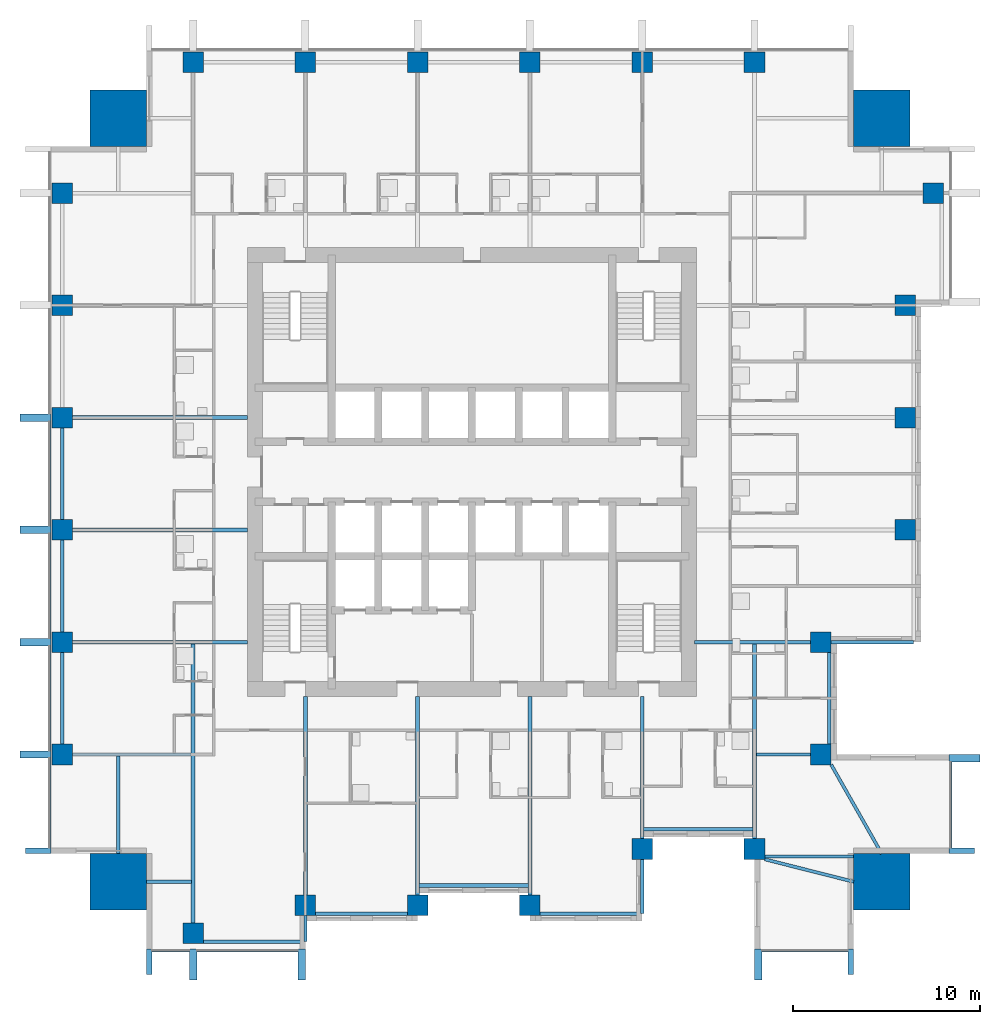
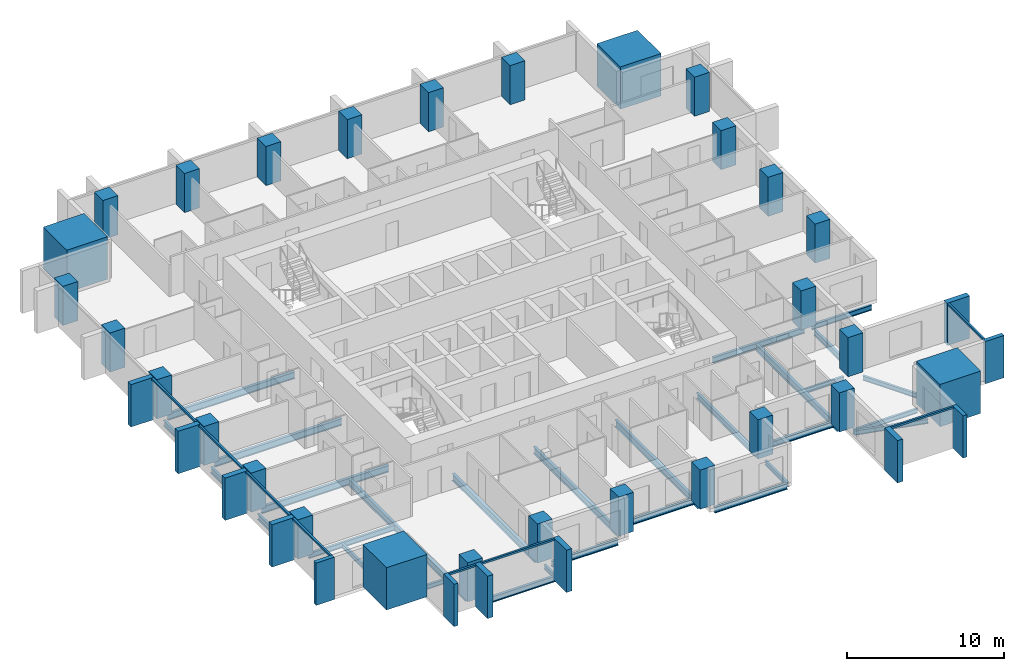
# One storey, part 1 of 11: 29 beams, 28 columns, 20 members, 4 elements without a shape of their own.
"""IFC4 building model written with IfcOpenShell, lengths in metres."""

from ifc_helpers import new_model, si_unit, direction, frame, origin, origin_2d, place, context, subcontext, project, spatial, rectangle, i_section, extrude, material, material_profile, profile_set, type_object, element, aggregate, save


model = new_model("IFC4")

# Units and contexts
model_context = context("Model", 3, precision=1e-05, world=origin(), true_north=direction((0.0, 1.0)))
body_context = subcontext(model_context, "Body", "Model", "MODEL_VIEW")
ifc_project = project(units=[si_unit("LENGTHUNIT", "METRE"), si_unit("AREAUNIT", "SQUARE_METRE"), si_unit("VOLUMEUNIT", "CUBIC_METRE"), si_unit("PLANEANGLEUNIT", "RADIAN"), si_unit("MASSUNIT", "GRAM", prefix="KILO")], contexts=[model_context])

# Site, building, storey
site_placement = place(None, origin())
site = spatial("IfcSite", under=ifc_project, at=site_placement, CompositionType="ELEMENT")
building_placement = place(site_placement, origin())
building = spatial("IfcBuilding", under=site, at=building_placement, Name="Amberfall Residences", CompositionType="ELEMENT")
storey_placement = place(building_placement, frame((0.0, 0.0, 91.89990234375)))
storey = spatial("IfcBuildingStorey", under=building, at=storey_placement, Name="L24", CompositionType="ELEMENT", Elevation=91.89990234375)

# Columns
ifc_material_1 = material(Name="Concrete C70", Category="concrete")
ifc_material_profile_1 = material_profile(ifc_material_1, rectangle(XDim=1.10009765625, YDim=1.10009765625, at=origin_2d()), Name="Column 1100 x 1100 C70")
ifc_profile_set_1 = profile_set([ifc_material_profile_1], Name="Concrete C70")
column_type_1 = type_object("IfcColumnType", Name="Column 1100 x 1100 C70", PredefinedType="COLUMN", material=ifc_profile_set_1)
for number, where, z_axis, x_axis, name in (
    (1, (59.60009765625, 20.85009765625, 0.0), (0.0, 0.0, 1.0), (1.0, 0.0, 0.0), "Column C2 L24 S1"),
    (2, (65.60009765625, 22.35009765625, 0.0), (0.0, 0.0, 1.0), (1.0, 0.0, 0.0), "Column C2 L24 S2"),
    (3, (71.60009765625, 22.35009765625, 0.0), (0.0, 0.0, 1.0), (1.0, 0.0, 0.0), "Column C2 L24 S3"),
    (4, (77.60009765625, 22.35009765625, 0.0), (0.0, 0.0, 1.0), (1.0, 0.0, 0.0), "Column C2 L24 S4"),
    (5, (83.60009765625, 25.35009765625, 0.0), (0.0, 0.0, 1.0), (1.0, 0.0, 0.0), "Column C2 L24 S5"),
    (6, (89.60009765625, 25.35009765625, 0.0), (0.0, 0.0, 1.0), (1.0, 0.0, 0.0), "Column C2 L24 S6"),
    (7, (93.14990234375, 30.39990234375, 0.0), (0.0, 0.0, 1.0), (1.0, 0.0, 0.0), "Column C2 L24 E1"),
    (8, (93.14990234375, 36.39990234375, 0.0), (0.0, 0.0, 1.0), (1.0, 0.0, 0.0), "Column C2 L24 E2"),
    (9, (97.64990234375, 42.39990234375, 0.0), (0.0, 0.0, 1.0), (1.0, 0.0, 0.0), "Column C2 L24 E3"),
    (10, (97.64990234375, 48.39990234375, 0.0), (0.0, 0.0, 1.0), (1.0, 0.0, 0.0), "Column C2 L24 E4"),
    (11, (97.64990234375, 54.39990234375, 0.0), (0.0, 0.0, 1.0), (1.0, 0.0, 0.0), "Column C2 L24 E5"),
    (12, (99.14990234375, 60.39990234375, 0.0), (0.0, 0.0, 1.0), (1.0, 0.0, 0.0), "Column C2 L24 E6"),
    (13, (59.60009765625, 67.39990234375, 0.0), (0.0, 0.0, 1.0), (1.0, 0.0, 0.0), "Column C2 L24 N1"),
    (14, (65.60009765625, 67.39990234375, 0.0), (0.0, 0.0, 1.0), (1.0, 0.0, 0.0), "Column C2 L24 N2"),
    (15, (71.60009765625, 67.39990234375, 0.0), (0.0, 0.0, 1.0), (1.0, 0.0, 0.0), "Column C2 L24 N3"),
    (16, (77.60009765625, 67.39990234375, 0.0), (0.0, 0.0, 1.0), (1.0, 0.0, 0.0), "Column C2 L24 N4"),
    (17, (83.60009765625, 67.39990234375, 0.0), (0.0, 0.0, 1.0), (1.0, 0.0, 0.0), "Column C2 L24 N5"),
    (18, (89.60009765625, 67.39990234375, 0.0), (0.0, 0.0, 1.0), (1.0, 0.0, 0.0), "Column C2 L24 N6"),
    (19, (52.60009765625, 30.39990234375, 0.0), (0.0, 0.0, 1.0), (1.0, 0.0, 0.0), "Column C2 L24 W1"),
    (20, (52.60009765625, 36.39990234375, 0.0), (0.0, 0.0, 1.0), (1.0, 0.0, 0.0), "Column C2 L24 W2"),
    (21, (52.60009765625, 42.39990234375, 0.0), (0.0, 0.0, 1.0), (1.0, 0.0, 0.0), "Column C2 L24 W3"),
    (22, (52.60009765625, 48.39990234375, 0.0), (0.0, 0.0, 1.0), (1.0, 0.0, 0.0), "Column C2 L24 W4"),
    (23, (52.60009765625, 54.39990234375, 0.0), (0.0, 0.0, 1.0), (1.0, 0.0, 0.0), "Column C2 L24 W5"),
    (24, (52.60009765625, 60.39990234375, 0.0), (0.0, 0.0, 1.0), (1.0, 0.0, 0.0), "Column C2 L24 W6"),
):
    element("IfcColumn", number, at=place(storey_placement, frame(where, z_axis=z_axis, x_axis=x_axis)), inside=storey, type_object=column_type_1, Name=name, PredefinedType="COLUMN", context=body_context, shape_type="SweptSolid", body=[
        extrude(rectangle(XDim=1.10009765625, YDim=1.10009765625, at=origin_2d()), origin(), (0.0, 0.0, 1.0), 3.050048828125),
    ])
ifc_material_profile_2 = material_profile(ifc_material_1, rectangle(XDim=3.0, YDim=3.0, at=origin_2d()), Name="Mega column 3000 x 3000 C70")
ifc_profile_set_2 = profile_set([ifc_material_profile_2], Name="Concrete C70")
column_type_2 = type_object("IfcColumnType", Name="Mega column 3000 x 3000 C70", PredefinedType="COLUMN", material=ifc_profile_set_2)
for number, where, z_axis, x_axis, name in (
    (25, (55.60009765625, 23.60009765625, 0.0), (0.0, 0.0, 1.0), (1.0, 0.0, 0.0), "Mega column MC2 L24 SW"),
    (26, (96.39990234375, 23.60009765625, 0.0), (0.0, 0.0, 1.0), (1.0, 0.0, 0.0), "Mega column MC2 L24 SE"),
    (27, (96.39990234375, 64.39990234375, 0.0), (0.0, 0.0, 1.0), (1.0, 0.0, 0.0), "Mega column MC2 L24 NE"),
    (28, (55.60009765625, 64.39990234375, 0.0), (0.0, 0.0, 1.0), (1.0, 0.0, 0.0), "Mega column MC2 L24 NW"),
):
    element("IfcColumn", number, at=place(storey_placement, frame(where, z_axis=z_axis, x_axis=x_axis)), inside=storey, type_object=column_type_2, Name=name, PredefinedType="COLUMN", context=body_context, shape_type="SweptSolid", body=[
        extrude(rectangle(XDim=3.0, YDim=3.0, at=origin_2d()), origin(), (0.0, 0.0, 1.0), 3.300048828125),
    ])

# Curtain wall, members
ifc_material_2 = material(Name="Bronze anodised aluminium and glass", Category="aluminium")
curtain_wall_type = type_object("IfcCurtainWallType", Name="Curtain wall CW1 tower unit", PredefinedType="USERDEFINED", material=ifc_material_2)
curtain_wall_1_placement = place(storey_placement, origin())
curtain_wall_1 = element("IfcCurtainWall", 29, at=curtain_wall_1_placement, inside=storey, type_object=curtain_wall_type, Name="Curtain wall L24 S S1", ObjectType="UNITISED CURTAIN WALL", PredefinedType="USERDEFINED")
ifc_material_3 = material(Name="Bronze anodised aluminium", Category="aluminium")
ifc_material_profile_3 = material_profile(ifc_material_3, rectangle(XDim=0.14990234375, YDim=0.14990234375, at=origin_2d()), Name="CW1 transom 150 x 150 bronze")
ifc_profile_set_3 = profile_set([ifc_material_profile_3], Name="Bronze anodised aluminium")
member_type_1 = type_object("IfcMemberType", Name="CW1 transom 150 x 150 bronze", PredefinedType="USERDEFINED", material=ifc_profile_set_3)
member_1_placement = place(storey_placement, frame((57.39990234375, 19.925048828125, 2.97509765625), z_axis=(1.0, 0.0, 0.0), x_axis=(0.0, 1.0, 0.0)))
member_1 = element("IfcMember", 30, at=member_1_placement, type_object=member_type_1, Name="CW1 transom 1.1", ObjectType="TRANSOM", PredefinedType="USERDEFINED", context=body_context, shape_type="SweptSolid", body=[
    extrude(rectangle(XDim=0.14990234375, YDim=0.14990234375, at=origin_2d()), origin(), (0.0, 0.0, 1.0), 2.0),
])
member_2_placement = place(storey_placement, frame((59.800048828125, 19.925048828125, 2.97509765625), z_axis=(1.0, 0.0, 0.0), x_axis=(0.0, 1.0, 0.0)))
member_2 = element("IfcMember", 31, at=member_2_placement, type_object=member_type_1, Name="CW1 transom 2.1", ObjectType="TRANSOM", PredefinedType="USERDEFINED", context=body_context, shape_type="SweptSolid", body=[
    extrude(rectangle(XDim=0.14990234375, YDim=0.14990234375, at=origin_2d()), origin(), (0.0, 0.0, 1.0), 5.39990234375),
])

# Curtain wall, member
curtain_wall_2_placement = place(storey_placement, origin())
curtain_wall_2 = element("IfcCurtainWall", 32, at=curtain_wall_2_placement, inside=storey, type_object=curtain_wall_type, Name="Curtain wall L24 S S11", ObjectType="UNITISED CURTAIN WALL", PredefinedType="USERDEFINED")
member_3_placement = place(storey_placement, frame((90.0, 19.925048828125, 2.97509765625), z_axis=(1.0, 0.0, 0.0), x_axis=(0.0, 1.0, 0.0)))
member_3 = element("IfcMember", 33, at=member_3_placement, type_object=member_type_1, Name="CW1 transom 1.1", ObjectType="TRANSOM", PredefinedType="USERDEFINED", context=body_context, shape_type="SweptSolid", body=[
    extrude(rectangle(XDim=0.14990234375, YDim=0.14990234375, at=origin_2d()), origin(), (0.0, 0.0, 1.0), 4.60009765625),
])

curtain_wall_3_placement = place(storey_placement, origin())
curtain_wall_3 = element("IfcCurtainWall", 34, at=curtain_wall_3_placement, inside=storey, type_object=curtain_wall_type, Name="Curtain wall L24 E E1", ObjectType="UNITISED CURTAIN WALL", PredefinedType="USERDEFINED")
member_4_placement = place(storey_placement, frame((100.074951171875, 25.39990234375, 2.97509765625), z_axis=(0.0, 1.0, 0.0), x_axis=(-1.0, 0.0, 0.0)))
member_4 = element("IfcMember", 35, at=member_4_placement, type_object=member_type_1, Name="CW1 transom 1.1", ObjectType="TRANSOM", PredefinedType="USERDEFINED", context=body_context, shape_type="SweptSolid", body=[
    extrude(rectangle(XDim=0.14990234375, YDim=0.14990234375, at=origin_2d()), origin(), (0.0, 0.0, 1.0), 4.60009765625),
])

# Curtain wall, members
curtain_wall_4_placement = place(storey_placement, origin())
curtain_wall_4 = element("IfcCurtainWall", 36, at=curtain_wall_4_placement, inside=storey, type_object=curtain_wall_type, Name="Curtain wall L24 W W1", ObjectType="UNITISED CURTAIN WALL", PredefinedType="USERDEFINED")
member_5_placement = place(storey_placement, frame((51.925048828125, 48.199951171875, 2.97509765625), z_axis=(0.0, -1.0, 0.0), x_axis=(1.0, 0.0, 0.0)))
member_5 = element("IfcMember", 37, at=member_5_placement, type_object=member_type_1, Name="CW1 transom 4.1", ObjectType="TRANSOM", PredefinedType="USERDEFINED", context=body_context, shape_type="SweptSolid", body=[
    extrude(rectangle(XDim=0.14990234375, YDim=0.14990234375, at=origin_2d()), origin(), (0.0, 0.0, 1.0), 5.599853515625),
])
member_6_placement = place(storey_placement, frame((51.925048828125, 42.199951171875, 2.97509765625), z_axis=(0.0, -1.0, 0.0), x_axis=(1.0, 0.0, 0.0)))
member_6 = element("IfcMember", 38, at=member_6_placement, type_object=member_type_1, Name="CW1 transom 5.1", ObjectType="TRANSOM", PredefinedType="USERDEFINED", context=body_context, shape_type="SweptSolid", body=[
    extrude(rectangle(XDim=0.14990234375, YDim=0.14990234375, at=origin_2d()), origin(), (0.0, 0.0, 1.0), 5.599853515625),
])
member_7_placement = place(storey_placement, frame((51.925048828125, 36.199951171875, 2.97509765625), z_axis=(0.0, -1.0, 0.0), x_axis=(1.0, 0.0, 0.0)))
member_7 = element("IfcMember", 39, at=member_7_placement, type_object=member_type_1, Name="CW1 transom 6.1", ObjectType="TRANSOM", PredefinedType="USERDEFINED", context=body_context, shape_type="SweptSolid", body=[
    extrude(rectangle(XDim=0.14990234375, YDim=0.14990234375, at=origin_2d()), origin(), (0.0, 0.0, 1.0), 5.599853515625),
])
member_8_placement = place(storey_placement, frame((51.925048828125, 30.199951171875, 2.97509765625), z_axis=(0.0, -1.0, 0.0), x_axis=(1.0, 0.0, 0.0)))
member_8 = element("IfcMember", 40, at=member_8_placement, type_object=member_type_1, Name="CW1 transom 7.1", ObjectType="TRANSOM", PredefinedType="USERDEFINED", context=body_context, shape_type="SweptSolid", body=[
    extrude(rectangle(XDim=0.14990234375, YDim=0.14990234375, at=origin_2d()), origin(), (0.0, 0.0, 1.0), 4.800048828125),
])

# Beams
ifc_material_4 = material(Name="Steel S355", Category="steel")
ifc_material_profile_4 = material_profile(ifc_material_4, i_section(OverallWidth=0.171142578125, OverallDepth=0.351318359375, WebThickness=0.007080078125, FlangeThickness=0.009765625, FilletRadius=0.01025390625, at=origin_2d()), Name="UB 356x171x45")
ifc_profile_set_4 = profile_set([ifc_material_profile_4], Name="Steel S355")
beam_type_1 = type_object("IfcBeamType", Name="Cantilever girder UB 356x171x45", PredefinedType="BEAM", material=ifc_profile_set_4)
beam_1_placement = place(storey_placement, frame((65.60009765625, 21.800048828125, -0.425537109375), z_axis=(0.0, -1.0, 0.0), x_axis=(1.0, 0.0, 0.0)))
element("IfcBeam", 41, at=beam_1_placement, inside=storey, type_object=beam_type_1, Name="Cantilever girder B8 L24 06", PredefinedType="BEAM", context=body_context, shape_type="SweptSolid", body=[
    extrude(i_section(OverallWidth=0.171142578125, OverallDepth=0.351318359375, WebThickness=0.007080078125, FlangeThickness=0.009765625, FilletRadius=0.01025390625, at=origin_2d()), origin(), (0.0, 0.0, 1.0), 1.400146484375),
])
beam_2_placement = place(storey_placement, frame((83.60009765625, 24.800048828125, -0.425537109375), z_axis=(0.0, -1.0, 0.0), x_axis=(1.0, 0.0, 0.0)))
element("IfcBeam", 42, at=beam_2_placement, inside=storey, type_object=beam_type_1, Name="Cantilever girder B8 L24 07", PredefinedType="BEAM", context=body_context, shape_type="SweptSolid", body=[
    extrude(i_section(OverallWidth=0.171142578125, OverallDepth=0.351318359375, WebThickness=0.007080078125, FlangeThickness=0.009765625, FilletRadius=0.01025390625, at=origin_2d()), origin(), (0.0, 0.0, 1.0), 2.900146484375),
])
ifc_material_profile_5 = material_profile(ifc_material_4, i_section(OverallWidth=0.177734375, OverallDepth=0.402587890625, WebThickness=0.0078125, FlangeThickness=0.010986328125, FilletRadius=0.01025390625, at=origin_2d()), Name="UB 406x178x54")
ifc_profile_set_5 = profile_set([ifc_material_profile_5], Name="Steel S355")
beam_type_2 = type_object("IfcBeamType", Name="Cantilever girder UB 406x178x54", PredefinedType="BEAM", material=ifc_profile_set_5)
beam_3_placement = place(storey_placement, frame((93.699951171875, 36.39990234375, -0.451171875), z_axis=(1.0, 0.0, 0.0), x_axis=(0.0, 1.0, 0.0)))
element("IfcBeam", 43, at=beam_3_placement, inside=storey, type_object=beam_type_2, Name="Cantilever girder B9 L24 19", PredefinedType="BEAM", context=body_context, shape_type="SweptSolid", body=[
    extrude(i_section(OverallWidth=0.177734375, OverallDepth=0.402587890625, WebThickness=0.0078125, FlangeThickness=0.010986328125, FilletRadius=0.01025390625, at=origin_2d()), origin(), (0.0, 0.0, 1.0), 4.400146484375),
])

# Member
ifc_material_profile_6 = material_profile(ifc_material_3, rectangle(XDim=1.35009765625, YDim=0.300048828125, at=origin_2d()), Name="Corner fin 300 x 1350 bronze")
ifc_profile_set_6 = profile_set([ifc_material_profile_6], Name="Bronze anodised aluminium")
member_type_2 = type_object("IfcMemberType", Name="Corner fin 300 x 1350 bronze", PredefinedType="MULLION", material=ifc_profile_set_6)
member_9_placement = place(storey_placement, frame((57.25, 19.324951171875, -0.25), z_axis=(0.0, 0.0, 1.0), x_axis=(0.0, 1.0, 0.0)))
member_9 = element("IfcMember", 44, at=member_9_placement, type_object=member_type_2, Name="CW FIN 1", PredefinedType="MULLION", context=body_context, shape_type="SweptSolid", body=[
    extrude(rectangle(XDim=1.35009765625, YDim=0.300048828125, at=origin_2d()), origin(), (0.0, 0.0, 1.0), 3.300048828125),
])

member_10_placement = place(storey_placement, frame((94.75, 19.324951171875, -0.25), z_axis=(0.0, 0.0, 1.0), x_axis=(0.0, 1.0, 0.0)))
member_10 = element("IfcMember", 45, at=member_10_placement, type_object=member_type_2, Name="CW FIN 2", PredefinedType="MULLION", context=body_context, shape_type="SweptSolid", body=[
    extrude(rectangle(XDim=1.35009765625, YDim=0.300048828125, at=origin_2d()), origin(), (0.0, 0.0, 1.0), 3.300048828125),
])

member_11_placement = place(storey_placement, frame((100.675048828125, 25.25, -0.25), z_axis=(0.0, 0.0, 1.0), x_axis=(-1.0, 0.0, 0.0)))
member_11 = element("IfcMember", 46, at=member_11_placement, type_object=member_type_2, Name="CW FIN 1", PredefinedType="MULLION", context=body_context, shape_type="SweptSolid", body=[
    extrude(rectangle(XDim=1.35009765625, YDim=0.300048828125, at=origin_2d()), origin(), (0.0, 0.0, 1.0), 3.300048828125),
])

member_12_placement = place(storey_placement, frame((51.324951171875, 25.25, -0.25), z_axis=(0.0, 0.0, 1.0), x_axis=(1.0, 0.0, 0.0)))
member_12 = element("IfcMember", 47, at=member_12_placement, type_object=member_type_2, Name="CW FIN 8", PredefinedType="MULLION", context=body_context, shape_type="SweptSolid", body=[
    extrude(rectangle(XDim=1.35009765625, YDim=0.300048828125, at=origin_2d()), origin(), (0.0, 0.0, 1.0), 3.300048828125),
])

# Beams
ifc_material_profile_7 = material_profile(ifc_material_4, i_section(OverallWidth=0.18994140625, OverallDepth=0.453369140625, WebThickness=0.008544921875, FlangeThickness=0.0126953125, FilletRadius=0.01025390625, at=origin_2d()), Name="UB 457x191x67")
ifc_profile_set_7 = profile_set([ifc_material_profile_7], Name="Steel S355")
beam_type_3 = type_object("IfcBeamType", Name="Edge beam UB 457x191x67", PredefinedType="SPANDREL", material=ifc_profile_set_7)
beam_4_placement = place(storey_placement, frame((60.14990234375, 20.39990234375, -0.4765625), z_axis=(1.0, 0.0, 0.0), x_axis=(0.0, 1.0, 0.0)))
element("IfcBeam", 48, at=beam_4_placement, inside=storey, type_object=beam_type_3, Name="Edge beam B1 L24 01", PredefinedType="SPANDREL", context=body_context, shape_type="SweptSolid", body=[
    extrude(i_section(OverallWidth=0.18994140625, OverallDepth=0.453369140625, WebThickness=0.008544921875, FlangeThickness=0.0126953125, FilletRadius=0.01025390625, at=origin_2d()), origin(), (0.0, 0.0, 1.0), 5.3701171875),
])
beam_5_placement = place(storey_placement, frame((66.14990234375, 21.89990234375, -0.4765625), z_axis=(1.0, 0.0, 0.0), x_axis=(0.0, 1.0, 0.0)))
element("IfcBeam", 49, at=beam_5_placement, inside=storey, type_object=beam_type_3, Name="Edge beam B1 L24 02", PredefinedType="SPANDREL", context=body_context, shape_type="SweptSolid", body=[
    extrude(i_section(OverallWidth=0.18994140625, OverallDepth=0.453369140625, WebThickness=0.008544921875, FlangeThickness=0.0126953125, FilletRadius=0.01025390625, at=origin_2d()), origin(), (0.0, 0.0, 1.0), 4.900146484375),
])
beam_6_placement = place(storey_placement, frame((71.679931640625, 23.39990234375, -0.4765625), z_axis=(1.0, 0.0, 0.0), x_axis=(0.0, 1.0, 0.0)))
element("IfcBeam", 50, at=beam_6_placement, inside=storey, type_object=beam_type_3, Name="Edge beam B1 L24 03", PredefinedType="SPANDREL", context=body_context, shape_type="SweptSolid", body=[
    extrude(i_section(OverallWidth=0.18994140625, OverallDepth=0.453369140625, WebThickness=0.008544921875, FlangeThickness=0.0126953125, FilletRadius=0.01025390625, at=origin_2d()), origin(), (0.0, 0.0, 1.0), 5.840087890625),
])
beam_7_placement = place(storey_placement, frame((78.14990234375, 21.89990234375, -0.4765625), z_axis=(1.0, 0.0, 0.0), x_axis=(0.0, 1.0, 0.0)))
element("IfcBeam", 51, at=beam_7_placement, inside=storey, type_object=beam_type_3, Name="Edge beam B1 L24 04", PredefinedType="SPANDREL", context=body_context, shape_type="SweptSolid", body=[
    extrude(i_section(OverallWidth=0.18994140625, OverallDepth=0.453369140625, WebThickness=0.008544921875, FlangeThickness=0.0126953125, FilletRadius=0.01025390625, at=origin_2d()), origin(), (0.0, 0.0, 1.0), 5.3701171875),
])
beam_8_placement = place(storey_placement, frame((83.679931640625, 26.39990234375, -0.4765625), z_axis=(1.0, 0.0, 0.0), x_axis=(0.0, 1.0, 0.0)))
element("IfcBeam", 52, at=beam_8_placement, inside=storey, type_object=beam_type_3, Name="Edge beam B1 L24 05", PredefinedType="SPANDREL", context=body_context, shape_type="SweptSolid", body=[
    extrude(i_section(OverallWidth=0.18994140625, OverallDepth=0.453369140625, WebThickness=0.008544921875, FlangeThickness=0.0126953125, FilletRadius=0.01025390625, at=origin_2d()), origin(), (0.0, 0.0, 1.0), 5.840087890625),
])
for number, where, z_axis, x_axis, name in (
    (53, (93.60009765625, 30.949951171875, -0.4765625), (0.0, 1.0, 0.0), (-1.0, 0.0, 0.0), "Edge beam B1 L24 14"),
    (54, (52.60009765625, 30.949951171875, -0.4765625), (0.0, 1.0, 0.0), (-1.0, 0.0, 0.0), "Edge beam B1 L24 38"),
    (55, (52.60009765625, 36.949951171875, -0.4765625), (0.0, 1.0, 0.0), (-1.0, 0.0, 0.0), "Edge beam B1 L24 39"),
    (56, (52.60009765625, 42.949951171875, -0.4765625), (0.0, 1.0, 0.0), (-1.0, 0.0, 0.0), "Edge beam B1 L24 40"),
):
    element("IfcBeam", number, at=place(storey_placement, frame(where, z_axis=z_axis, x_axis=x_axis)), inside=storey, type_object=beam_type_3, Name=name, PredefinedType="SPANDREL", context=body_context, shape_type="SweptSolid", body=[
        extrude(i_section(OverallWidth=0.18994140625, OverallDepth=0.453369140625, WebThickness=0.008544921875, FlangeThickness=0.0126953125, FilletRadius=0.01025390625, at=origin_2d()), origin(), (0.0, 0.0, 1.0), 4.900146484375),
    ])

# Member
ifc_material_profile_8 = material_profile(ifc_material_3, rectangle(XDim=1.64990234375, YDim=0.39990234375, at=origin_2d()), Name="Fin 400 x 1650 bronze")
ifc_profile_set_8 = profile_set([ifc_material_profile_8], Name="Bronze anodised aluminium")
member_type_3 = type_object("IfcMemberType", Name="Fin 400 x 1650 bronze", PredefinedType="MULLION", material=ifc_profile_set_8)
member_13_placement = place(storey_placement, frame((59.60009765625, 19.175048828125, -0.25), z_axis=(0.0, 0.0, 1.0), x_axis=(0.0, 1.0, 0.0)))
member_13 = element("IfcMember", 57, at=member_13_placement, type_object=member_type_3, Name="CW FIN 2", PredefinedType="MULLION", context=body_context, shape_type="SweptSolid", body=[
    extrude(rectangle(XDim=1.64990234375, YDim=0.39990234375, at=origin_2d()), origin(), (0.0, 0.0, 1.0), 3.300048828125),
])

member_14_placement = place(storey_placement, frame((65.39990234375, 19.175048828125, -0.25), z_axis=(0.0, 0.0, 1.0), x_axis=(0.0, 1.0, 0.0)))
member_14 = element("IfcMember", 58, at=member_14_placement, type_object=member_type_3, Name="CW FIN 3", PredefinedType="MULLION", context=body_context, shape_type="SweptSolid", body=[
    extrude(rectangle(XDim=1.64990234375, YDim=0.39990234375, at=origin_2d()), origin(), (0.0, 0.0, 1.0), 3.300048828125),
])

aggregate(curtain_wall_1, [member_9, member_13, member_14, member_1, member_2])

member_15_placement = place(storey_placement, frame((89.800048828125, 19.175048828125, -0.25), z_axis=(0.0, 0.0, 1.0), x_axis=(0.0, 1.0, 0.0)))
member_15 = element("IfcMember", 59, at=member_15_placement, type_object=member_type_3, Name="CW FIN 1", PredefinedType="MULLION", context=body_context, shape_type="SweptSolid", body=[
    extrude(rectangle(XDim=1.64990234375, YDim=0.39990234375, at=origin_2d()), origin(), (0.0, 0.0, 1.0), 3.300048828125),
])

aggregate(curtain_wall_2, [member_15, member_10, member_3])

member_16_placement = place(storey_placement, frame((100.824951171875, 30.199951171875, -0.25), z_axis=(0.0, 0.0, 1.0), x_axis=(-1.0, 0.0, 0.0)))
member_16 = element("IfcMember", 60, at=member_16_placement, type_object=member_type_3, Name="CW FIN 2", PredefinedType="MULLION", context=body_context, shape_type="SweptSolid", body=[
    extrude(rectangle(XDim=1.64990234375, YDim=0.39990234375, at=origin_2d()), origin(), (0.0, 0.0, 1.0), 3.300048828125),
])

aggregate(curtain_wall_3, [member_11, member_16, member_4])

member_17_placement = place(storey_placement, frame((51.175048828125, 48.39990234375, -0.25), z_axis=(0.0, 0.0, 1.0), x_axis=(1.0, 0.0, 0.0)))
member_17 = element("IfcMember", 61, at=member_17_placement, type_object=member_type_3, Name="CW FIN 4", PredefinedType="MULLION", context=body_context, shape_type="SweptSolid", body=[
    extrude(rectangle(XDim=1.64990234375, YDim=0.39990234375, at=origin_2d()), origin(), (0.0, 0.0, 1.0), 3.300048828125),
])

member_18_placement = place(storey_placement, frame((51.175048828125, 42.39990234375, -0.25), z_axis=(0.0, 0.0, 1.0), x_axis=(1.0, 0.0, 0.0)))
member_18 = element("IfcMember", 62, at=member_18_placement, type_object=member_type_3, Name="CW FIN 5", PredefinedType="MULLION", context=body_context, shape_type="SweptSolid", body=[
    extrude(rectangle(XDim=1.64990234375, YDim=0.39990234375, at=origin_2d()), origin(), (0.0, 0.0, 1.0), 3.300048828125),
])

member_19_placement = place(storey_placement, frame((51.175048828125, 36.39990234375, -0.25), z_axis=(0.0, 0.0, 1.0), x_axis=(1.0, 0.0, 0.0)))
member_19 = element("IfcMember", 63, at=member_19_placement, type_object=member_type_3, Name="CW FIN 6", PredefinedType="MULLION", context=body_context, shape_type="SweptSolid", body=[
    extrude(rectangle(XDim=1.64990234375, YDim=0.39990234375, at=origin_2d()), origin(), (0.0, 0.0, 1.0), 3.300048828125),
])

member_20_placement = place(storey_placement, frame((51.175048828125, 30.39990234375, -0.25), z_axis=(0.0, 0.0, 1.0), x_axis=(1.0, 0.0, 0.0)))
member_20 = element("IfcMember", 64, at=member_20_placement, type_object=member_type_3, Name="CW FIN 7", PredefinedType="MULLION", context=body_context, shape_type="SweptSolid", body=[
    extrude(rectangle(XDim=1.64990234375, YDim=0.39990234375, at=origin_2d()), origin(), (0.0, 0.0, 1.0), 3.300048828125),
])

aggregate(curtain_wall_4, [member_17, member_18, member_19, member_20, member_12, member_5, member_6, member_7, member_8])

# Beams
ifc_material_profile_9 = material_profile(ifc_material_4, i_section(OverallWidth=0.171142578125, OverallDepth=0.351318359375, WebThickness=0.007080078125, FlangeThickness=0.009765625, FilletRadius=0.01025390625, at=origin_2d()), Name="UB 356x171x45")
ifc_profile_set_9 = profile_set([ifc_material_profile_9], Name="Steel S355")
beam_type_4 = type_object("IfcBeamType", Name="Floor girder UB 356x171x45", PredefinedType="BEAM", material=ifc_profile_set_9)
beam_9_placement = place(storey_placement, frame((92.60009765625, 30.39990234375, -0.425537109375), z_axis=(-1.0, 0.0, 0.0), x_axis=(0.0, -1.0, 0.0)))
element("IfcBeam", 65, at=beam_9_placement, inside=storey, type_object=beam_type_4, Name="Floor girder B11 L24 21", PredefinedType="BEAM", context=body_context, shape_type="SweptSolid", body=[
    extrude(i_section(OverallWidth=0.171142578125, OverallDepth=0.351318359375, WebThickness=0.007080078125, FlangeThickness=0.009765625, FilletRadius=0.01025390625, at=origin_2d()), origin(), (0.0, 0.0, 1.0), 2.880126953125),
])
ifc_material_profile_10 = material_profile(ifc_material_4, i_section(OverallWidth=0.177734375, OverallDepth=0.402587890625, WebThickness=0.0078125, FlangeThickness=0.010986328125, FilletRadius=0.01025390625, at=origin_2d()), Name="UB 406x178x54")
ifc_profile_set_10 = profile_set([ifc_material_profile_10], Name="Steel S355")
beam_type_5 = type_object("IfcBeamType", Name="Floor girder UB 406x178x54", PredefinedType="BEAM", material=ifc_profile_set_10)
beam_10_placement = place(storey_placement, frame((53.14990234375, 30.39990234375, -0.451171875), z_axis=(1.0, 0.0, 0.0), x_axis=(0.0, 1.0, 0.0)))
element("IfcBeam", 66, at=beam_10_placement, inside=storey, type_object=beam_type_5, Name="Floor girder B4 L24 43", PredefinedType="BEAM", context=body_context, shape_type="SweptSolid", body=[
    extrude(i_section(OverallWidth=0.177734375, OverallDepth=0.402587890625, WebThickness=0.0078125, FlangeThickness=0.010986328125, FilletRadius=0.01025390625, at=origin_2d()), origin(), (0.0, 0.0, 1.0), 6.330078125),
])
ifc_material_profile_11 = material_profile(ifc_material_4, i_section(OverallWidth=0.19140625, OverallDepth=0.4599609375, WebThickness=0.010009765625, FlangeThickness=0.01611328125, FilletRadius=0.01025390625, at=origin_2d()), Name="UB 457x191x82")
ifc_profile_set_11 = profile_set([ifc_material_profile_11], Name="Steel S355")
beam_type_6 = type_object("IfcBeamType", Name="Floor girder UB 457x191x82", PredefinedType="BEAM", material=ifc_profile_set_11)
beam_11_placement = place(storey_placement, frame((83.60009765625, 25.89990234375, -0.47998046875), z_axis=(0.0, 1.0, 0.0), x_axis=(-1.0, 0.0, 0.0)))
element("IfcBeam", 67, at=beam_11_placement, inside=storey, type_object=beam_type_6, Name="Floor girder B10 L24 12", PredefinedType="BEAM", context=body_context, shape_type="SweptSolid", body=[
    extrude(i_section(OverallWidth=0.19140625, OverallDepth=0.4599609375, WebThickness=0.010009765625, FlangeThickness=0.01611328125, FilletRadius=0.01025390625, at=origin_2d()), origin(), (0.0, 0.0, 1.0), 7.60009765625),
])
beam_12_placement = place(storey_placement, frame((93.14990234375, 36.39990234375, -0.47998046875), z_axis=(-1.0, 0.0, 0.0), x_axis=(0.0, -1.0, 0.0)))
element("IfcBeam", 68, at=beam_12_placement, inside=storey, type_object=beam_type_6, Name="Floor girder B10 L24 22", PredefinedType="BEAM", context=body_context, shape_type="SweptSolid", body=[
    extrude(i_section(OverallWidth=0.19140625, OverallDepth=0.4599609375, WebThickness=0.010009765625, FlangeThickness=0.01611328125, FilletRadius=0.01025390625, at=origin_2d()), origin(), (0.0, 0.0, 1.0), 6.75),
])
ifc_material_profile_12 = material_profile(ifc_material_4, i_section(OverallWidth=0.210693359375, OverallDepth=0.53955078125, WebThickness=0.01171875, FlangeThickness=0.018798828125, FilletRadius=0.0126953125, at=origin_2d()), Name="UB 533x210x109")
ifc_profile_set_12 = profile_set([ifc_material_profile_12], Name="Steel S355")
beam_type_7 = type_object("IfcBeamType", Name="Floor girder UB 533x210x109", PredefinedType="BEAM", material=ifc_profile_set_12)
beam_13_placement = place(storey_placement, frame((59.60009765625, 21.39990234375, -0.51953125), z_axis=(0.0, 1.0, 0.0), x_axis=(-1.0, 0.0, 0.0)))
element("IfcBeam", 69, at=beam_13_placement, inside=storey, type_object=beam_type_7, Name="Floor girder B2 L24 08", PredefinedType="BEAM", context=body_context, shape_type="SweptSolid", body=[
    extrude(i_section(OverallWidth=0.210693359375, OverallDepth=0.53955078125, WebThickness=0.01171875, FlangeThickness=0.018798828125, FilletRadius=0.0126953125, at=origin_2d()), origin(), (0.0, 0.0, 1.0), 14.900390625),
])
ifc_material_profile_13 = material_profile(ifc_material_4, i_section(OverallWidth=0.209228515625, OverallDepth=0.533203125, WebThickness=0.010009765625, FlangeThickness=0.015625, FilletRadius=0.0126953125, at=origin_2d()), Name="UB 533x210x92")
ifc_profile_set_13 = profile_set([ifc_material_profile_13], Name="Steel S355")
beam_type_8 = type_object("IfcBeamType", Name="Floor girder UB 533x210x92", PredefinedType="BEAM", material=ifc_profile_set_13)
for number, where, z_axis, x_axis, name in (
    (70, (65.60009765625, 22.89990234375, -0.516357421875), (0.0, 1.0, 0.0), (-1.0, 0.0, 0.0), "Floor girder B3 L24 09"),
    (71, (71.60009765625, 22.89990234375, -0.516357421875), (0.0, 1.0, 0.0), (-1.0, 0.0, 0.0), "Floor girder B3 L24 10"),
    (72, (77.60009765625, 22.89990234375, -0.516357421875), (0.0, 1.0, 0.0), (-1.0, 0.0, 0.0), "Floor girder B3 L24 11"),
):
    element("IfcBeam", number, at=place(storey_placement, frame(where, z_axis=z_axis, x_axis=x_axis)), inside=storey, type_object=beam_type_8, Name=name, PredefinedType="BEAM", context=body_context, shape_type="SweptSolid", body=[
        extrude(i_section(OverallWidth=0.209228515625, OverallDepth=0.533203125, WebThickness=0.010009765625, FlangeThickness=0.015625, FilletRadius=0.0126953125, at=origin_2d()), origin(), (0.0, 0.0, 1.0), 10.60009765625),
    ])
beam_14_placement = place(storey_placement, frame((89.60009765625, 25.89990234375, -0.516357421875), z_axis=(0.0, 1.0, 0.0), x_axis=(-1.0, 0.0, 0.0)))
element("IfcBeam", 73, at=beam_14_placement, inside=storey, type_object=beam_type_8, Name="Floor girder B3 L24 13", PredefinedType="BEAM", context=body_context, shape_type="SweptSolid", body=[
    extrude(i_section(OverallWidth=0.209228515625, OverallDepth=0.533203125, WebThickness=0.010009765625, FlangeThickness=0.015625, FilletRadius=0.0126953125, at=origin_2d()), origin(), (0.0, 0.0, 1.0), 10.409423828125),
])
for number, where, z_axis, x_axis, name in (
    (74, (53.14990234375, 36.39990234375, -0.516357421875), (1.0, 0.0, 0.0), (0.0, 1.0, 0.0), "Floor girder B3 L24 44"),
    (75, (53.14990234375, 42.39990234375, -0.516357421875), (1.0, 0.0, 0.0), (0.0, 1.0, 0.0), "Floor girder B3 L24 45"),
    (76, (53.14990234375, 48.39990234375, -0.516357421875), (1.0, 0.0, 0.0), (0.0, 1.0, 0.0), "Floor girder B3 L24 46"),
):
    element("IfcBeam", number, at=place(storey_placement, frame(where, z_axis=z_axis, x_axis=x_axis)), inside=storey, type_object=beam_type_8, Name=name, PredefinedType="BEAM", context=body_context, shape_type="SweptSolid", body=[
        extrude(i_section(OverallWidth=0.209228515625, OverallDepth=0.533203125, WebThickness=0.010009765625, FlangeThickness=0.015625, FilletRadius=0.0126953125, at=origin_2d()), origin(), (0.0, 0.0, 1.0), 9.35009765625),
    ])
ifc_material_profile_14 = material_profile(ifc_material_4, i_section(OverallWidth=0.171142578125, OverallDepth=0.351318359375, WebThickness=0.007080078125, FlangeThickness=0.009765625, FilletRadius=0.01025390625, at=origin_2d()), Name="UB 356x171x45")
ifc_profile_set_14 = profile_set([ifc_material_profile_14], Name="Steel S355")
beam_type_9 = type_object("IfcBeamType", Name="Link beam UB 356x171x45", PredefinedType="BEAM", material=ifc_profile_set_14)
beam_15_placement = place(storey_placement, frame((90.14990234375, 24.949951171875, -0.425537109375), z_axis=(1.0, 0.0, 0.0), x_axis=(0.0, 1.0, 0.0)))
element("IfcBeam", 77, at=beam_15_placement, inside=storey, type_object=beam_type_9, Name="Link beam B7 L24 49", PredefinedType="BEAM", context=body_context, shape_type="SweptSolid", body=[
    extrude(i_section(OverallWidth=0.171142578125, OverallDepth=0.351318359375, WebThickness=0.007080078125, FlangeThickness=0.009765625, FilletRadius=0.01025390625, at=origin_2d()), origin(), (0.0, 0.0, 1.0), 4.75),
])
beam_16_placement = place(storey_placement, frame((57.10009765625, 23.60009765625, -0.425537109375), z_axis=(1.0, 0.0, 0.0), x_axis=(0.0, 1.0, 0.0)))
element("IfcBeam", 78, at=beam_16_placement, inside=storey, type_object=beam_type_9, Name="Link beam B7 L24 50", PredefinedType="BEAM", context=body_context, shape_type="SweptSolid", body=[
    extrude(i_section(OverallWidth=0.171142578125, OverallDepth=0.351318359375, WebThickness=0.007080078125, FlangeThickness=0.009765625, FilletRadius=0.01025390625, at=origin_2d()), origin(), (0.0, 0.0, 1.0), 2.404541015625),
])
beam_17_placement = place(storey_placement, frame((55.60009765625, 25.10009765625, -0.425537109375), z_axis=(0.0, 1.0, 0.0), x_axis=(-1.0, 0.0, 0.0)))
element("IfcBeam", 79, at=beam_17_placement, inside=storey, type_object=beam_type_9, Name="Link beam B7 L24 51", PredefinedType="BEAM", context=body_context, shape_type="SweptSolid", body=[
    extrude(i_section(OverallWidth=0.171142578125, OverallDepth=0.351318359375, WebThickness=0.007080078125, FlangeThickness=0.009765625, FilletRadius=0.01025390625, at=origin_2d()), origin(), (0.0, 0.0, 1.0), 5.22119140625),
])
beam_18_placement = place(storey_placement, frame((94.89990234375, 23.60009765625, -0.425537109375), z_axis=(-0.969541561087, 0.244926848928, 0.0), x_axis=(-0.244926848928, -0.969541561087, 0.0)))
element("IfcBeam", 80, at=beam_18_placement, inside=storey, type_object=beam_type_9, Name="Link beam B7 L24 52", PredefinedType="BEAM", context=body_context, shape_type="SweptSolid", body=[
    extrude(i_section(OverallWidth=0.171142578125, OverallDepth=0.351318359375, WebThickness=0.007080078125, FlangeThickness=0.009765625, FilletRadius=0.01025390625, at=origin_2d()), origin(), (0.0, 0.0, 1.0), 4.899169921875),
])
beam_19_placement = place(storey_placement, frame((96.39990234375, 25.10009765625, -0.425537109375), z_axis=(-0.494159870511, 0.869371049884, 0.0), x_axis=(-0.869371049884, -0.494159870511, 0.0)))
element("IfcBeam", 81, at=beam_19_placement, inside=storey, type_object=beam_type_9, Name="Link beam B7 L24 53", PredefinedType="BEAM", context=body_context, shape_type="SweptSolid", body=[
    extrude(i_section(OverallWidth=0.171142578125, OverallDepth=0.351318359375, WebThickness=0.007080078125, FlangeThickness=0.009765625, FilletRadius=0.01025390625, at=origin_2d()), origin(), (0.0, 0.0, 1.0), 5.463623046875),
])

save(model, "model.ifc")
